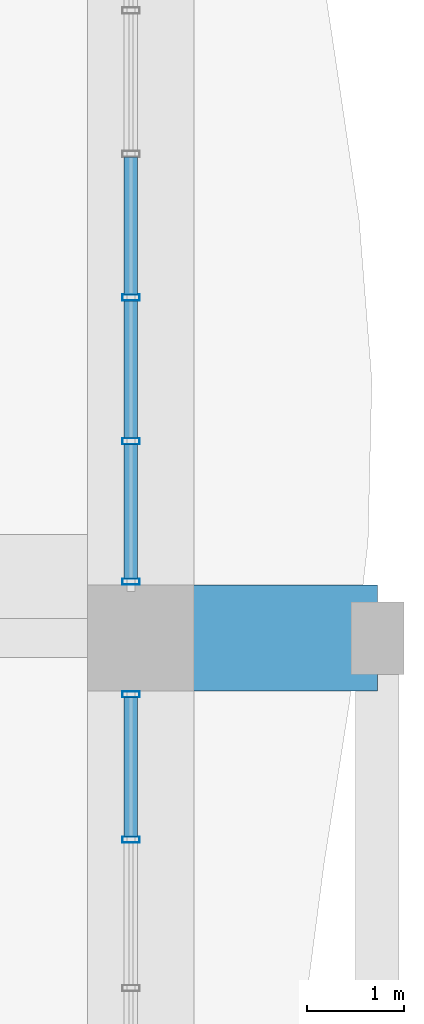
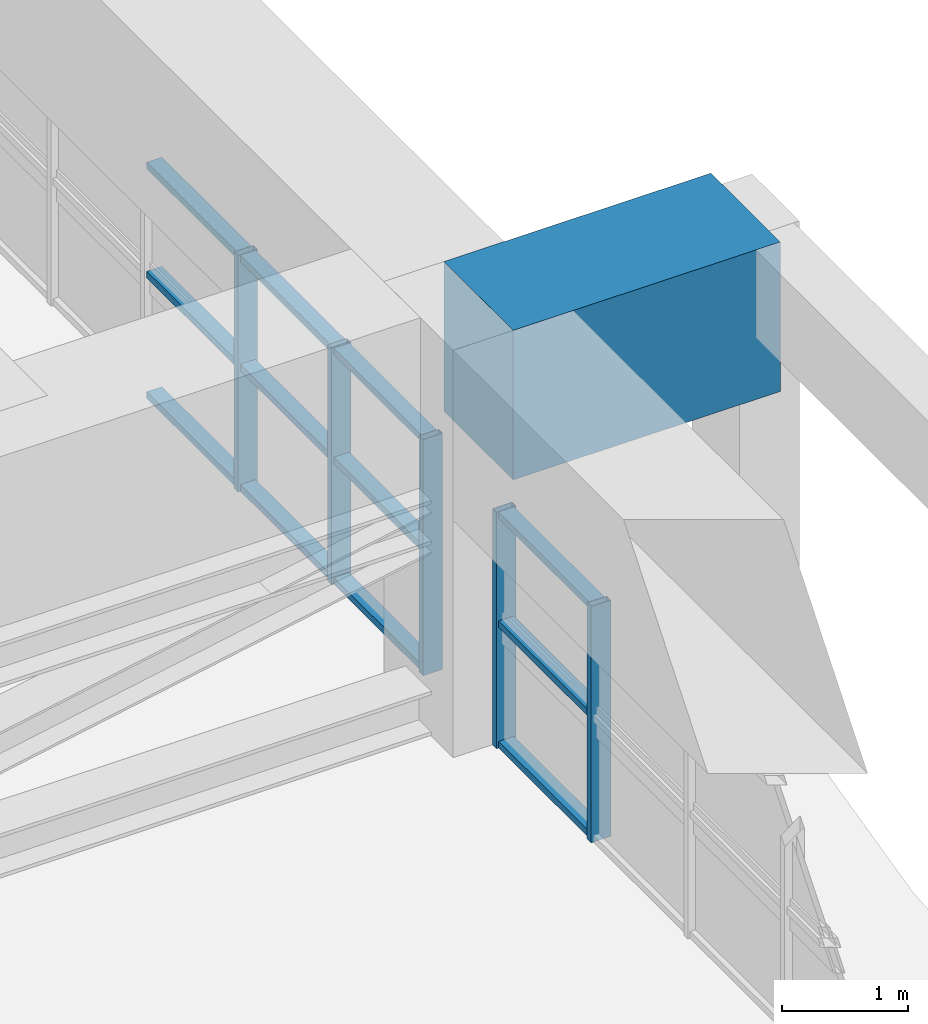
# One storey, part 24 of 35: 17 members, 1 beam, 2 elements without a shape of their own.
"""IFC4 building model written with IfcOpenShell, lengths in metres."""

from ifc_helpers import new_model, si_unit, direction, frame, origin, origin_2d, place, context, subcontext, project, spatial, rectangle, hollow_rectangle, extrude, source, transform, mapped, material, layer, layer_set, material_profile, profile_set, type_object, element, aggregate, save


model = new_model("IFC4")

# Units and contexts
model_context = context("Model", 3, precision=1e-05, world=origin(), true_north=direction((0.0, 1.0)))
body_context = subcontext(model_context, "Body", "Model", "MODEL_VIEW")
ifc_project = project(units=[si_unit("LENGTHUNIT", "METRE"), si_unit("AREAUNIT", "SQUARE_METRE"), si_unit("VOLUMEUNIT", "CUBIC_METRE"), si_unit("PLANEANGLEUNIT", "RADIAN"), si_unit("MASSUNIT", "GRAM", prefix="KILO")], contexts=[model_context])

# Site, building, storey
site_placement = place(None, origin())
site = spatial("IfcSite", under=ifc_project, at=site_placement, CompositionType="ELEMENT")
building_placement = place(site_placement, origin())
building = spatial("IfcBuilding", under=site, at=building_placement, Name="Saelheon Loggia Tower", CompositionType="ELEMENT")
storey_placement = place(building_placement, frame((0.0, 0.0, 70.39990234375)))
storey = spatial("IfcBuildingStorey", under=building, at=storey_placement, Name="L22", CompositionType="ELEMENT", Elevation=70.39990234375)

# Beam
ifc_material_1 = material(Name="Concrete C50/60", Category="concrete")
ifc_material_profile_1 = material_profile(ifc_material_1, rectangle(XDim=1.10009765625, YDim=1.449951171875, at=origin_2d()), Name="RC-1100x1450")
ifc_profile_set_1 = profile_set([ifc_material_profile_1], Name="Concrete C50/60")
beam_type = type_object("IfcBeamType", Name="Beam_PerimTransfer_RC1100x1450", PredefinedType="BEAM", material=ifc_profile_set_1)
shared_shape_1 = source(origin(), body_context, "Body", "SweptSolid", [
    extrude(rectangle(XDim=1.10009765625, YDim=1.449951171875, at=origin_2d()), origin(), (0.0, 0.0, 1.0), 2.449951171875),
])
beam_placement = place(storey_placement, frame((64.0, 36.0, 3.22509765625), z_axis=(1.0, 0.0, 0.0), x_axis=(0.0, 1.0, 0.0)))
element("IfcBeam", 1, at=beam_placement, inside=storey, type_object=beam_type, Name="L22 Loggia Frame Tie Beam LP-E2", PredefinedType="BEAM", context=body_context, shape_type="MappedRepresentation", body=[
    mapped(shared_shape_1, transform((0.0, 0.0, 0.0), scale=1.0)),
])

# Curtain wall, members
ifc_material_2 = material(Name="Anodised Aluminium Acoustic Louvre Curtain Wall", Category="aluminium")
ifc_layer = layer(ifc_material_2, 0.179931640625)
ifc_layer_set = layer_set([ifc_layer], Name="Anodised Aluminium Acoustic Louvre Curtain Wall")
curtain_wall_type = type_object("IfcCurtainWallType", Name="CW_RefugeAcoustic", PredefinedType="NOTDEFINED", material=ifc_layer_set)
curtain_wall_1_placement = place(storey_placement, origin())
curtain_wall_1 = element("IfcCurtainWall", 2, at=curtain_wall_1_placement, inside=storey, type_object=curtain_wall_type, Name="L22 E Refuge Acoustic Curtain Wall 2", PredefinedType="NOTDEFINED")
ifc_material_3 = material(Name="Anodised Aluminium 6063-T6", Category="aluminium")
ifc_material_profile_2 = material_profile(ifc_material_3, hollow_rectangle(XDim=0.06494140625, YDim=0.179931640625, WallThickness=0.00390625, at=origin_2d()), Name="RHS-180x65x4")
ifc_profile_set_2 = profile_set([ifc_material_profile_2], Name="Anodised Aluminium 6063-T6")
member_type_1 = type_object("IfcMemberType", Name="CW_RefugeAcoustic_Mullion", PredefinedType="MULLION", material=ifc_profile_set_2)
shared_shape_2 = source(origin(), body_context, "Body", "SweptSolid", [
    extrude(hollow_rectangle(XDim=0.06494140625, YDim=0.179931640625, WallThickness=0.00390625, at=origin_2d()), origin(), (0.0, 0.0, 1.0), 2.2900390625),
])
member_1_placement = place(storey_placement, frame((63.89990234375, 33.91357421875, 0.0), z_axis=(0.0, 0.0, 1.0), x_axis=(0.0, 1.0, 0.0)))
member_1 = element("IfcMember", 3, at=member_1_placement, type_object=member_type_1, Name="CW5 mullion 11", PredefinedType="MULLION", context=body_context, shape_type="MappedRepresentation", body=[
    mapped(shared_shape_2, transform((0.0, 0.0, 0.0), scale=1.0)),
])
member_2_placement = place(storey_placement, frame((63.89990234375, 35.41748046875, 0.0), z_axis=(0.0, 0.0, 1.0), x_axis=(0.0, 1.0, 0.0)))
member_2 = element("IfcMember", 4, at=member_2_placement, type_object=member_type_1, Name="CW5 mullion 12", PredefinedType="MULLION", context=body_context, shape_type="MappedRepresentation", body=[
    mapped(shared_shape_2, transform((0.0, 0.0, 0.0), scale=1.0)),
])

curtain_wall_2_placement = place(storey_placement, origin())
curtain_wall_2 = element("IfcCurtainWall", 5, at=curtain_wall_2_placement, inside=storey, type_object=curtain_wall_type, Name="L22 E Refuge Acoustic Curtain Wall 3", PredefinedType="NOTDEFINED")
member_3_placement = place(storey_placement, frame((63.89990234375, 36.58251953125, 0.0), z_axis=(0.0, 0.0, 1.0), x_axis=(0.0, 1.0, 0.0)))
member_3 = element("IfcMember", 6, at=member_3_placement, type_object=member_type_1, Name="CW5 mullion 1", PredefinedType="MULLION", context=body_context, shape_type="MappedRepresentation", body=[
    mapped(shared_shape_2, transform((0.0, 0.0, 0.0), scale=1.0)),
])
member_4_placement = place(storey_placement, frame((63.89990234375, 38.03564453125, 0.0), z_axis=(0.0, 0.0, 1.0), x_axis=(0.0, 1.0, 0.0)))
member_4 = element("IfcMember", 7, at=member_4_placement, type_object=member_type_1, Name="CW5 mullion 2", PredefinedType="MULLION", context=body_context, shape_type="MappedRepresentation", body=[
    mapped(shared_shape_2, transform((0.0, 0.0, 0.0), scale=1.0)),
])
member_5_placement = place(storey_placement, frame((63.89990234375, 39.521484375, 0.0), z_axis=(0.0, 0.0, 1.0), x_axis=(0.0, 1.0, 0.0)))
member_5 = element("IfcMember", 8, at=member_5_placement, type_object=member_type_1, Name="CW5 mullion 3", PredefinedType="MULLION", context=body_context, shape_type="MappedRepresentation", body=[
    mapped(shared_shape_2, transform((0.0, 0.0, 0.0), scale=1.0)),
])
ifc_material_profile_3 = material_profile(ifc_material_3, hollow_rectangle(XDim=0.06494140625, YDim=0.139892578125, WallThickness=0.00390625, at=origin_2d()), Name="RHS-140x65x4")
ifc_profile_set_3 = profile_set([ifc_material_profile_3], Name="Anodised Aluminium 6063-T6")
member_type_2 = type_object("IfcMemberType", Name="CW_RefugeAcoustic_Transom", PredefinedType="USERDEFINED", material=ifc_profile_set_3)
shared_shape_3 = source(origin(), body_context, "Body", "SweptSolid", [
    extrude(hollow_rectangle(XDim=0.06494140625, YDim=0.139892578125, WallThickness=0.00390625, at=origin_2d()), origin(), (0.0, 0.0, 1.0), 1.38818359375),
])
member_6_placement = place(storey_placement, frame((63.89990234375, 36.614990234375, 0.03271484375), z_axis=(0.0, 1.0, 0.0), x_axis=(0.0, 0.0, 1.0)))
member_6 = element("IfcMember", 9, at=member_6_placement, type_object=member_type_2, Name="CW5 transom 1.1", ObjectType="TRANSOM", PredefinedType="USERDEFINED", context=body_context, shape_type="MappedRepresentation", body=[
    mapped(shared_shape_3, transform((0.0, 0.0, 0.0), scale=1.0)),
])
member_7_placement = place(storey_placement, frame((63.89990234375, 36.614990234375, 1.2001953125), z_axis=(0.0, 1.0, 0.0), x_axis=(0.0, 0.0, 1.0)))
member_7 = element("IfcMember", 10, at=member_7_placement, type_object=member_type_2, Name="CW5 transom 1.2", ObjectType="TRANSOM", PredefinedType="USERDEFINED", context=body_context, shape_type="MappedRepresentation", body=[
    mapped(shared_shape_3, transform((0.0, 0.0, 0.0), scale=1.0)),
])
member_8_placement = place(storey_placement, frame((63.89990234375, 36.614990234375, 2.257568359375), z_axis=(0.0, 1.0, 0.0), x_axis=(0.0, 0.0, 1.0)))
member_8 = element("IfcMember", 11, at=member_8_placement, type_object=member_type_2, Name="CW5 transom 1.3", ObjectType="TRANSOM", PredefinedType="USERDEFINED", context=body_context, shape_type="MappedRepresentation", body=[
    mapped(shared_shape_3, transform((0.0, 0.0, 0.0), scale=1.0)),
])
shared_shape_4 = source(origin(), body_context, "Body", "SweptSolid", [
    extrude(hollow_rectangle(XDim=0.06494140625, YDim=0.139892578125, WallThickness=0.00390625, at=origin_2d()), origin(), (0.0, 0.0, 1.0), 1.4208984375),
])
member_9_placement = place(storey_placement, frame((63.89990234375, 38.068115234375, 0.03271484375), z_axis=(0.0, 1.0, 0.0), x_axis=(0.0, 0.0, 1.0)))
member_9 = element("IfcMember", 12, at=member_9_placement, type_object=member_type_2, Name="CW5 transom 2.1", ObjectType="TRANSOM", PredefinedType="USERDEFINED", context=body_context, shape_type="MappedRepresentation", body=[
    mapped(shared_shape_4, transform((0.0, 0.0, 0.0), scale=1.0)),
])
member_10_placement = place(storey_placement, frame((63.89990234375, 38.068115234375, 1.2001953125), z_axis=(0.0, 1.0, 0.0), x_axis=(0.0, 0.0, 1.0)))
member_10 = element("IfcMember", 13, at=member_10_placement, type_object=member_type_2, Name="CW5 transom 2.2", ObjectType="TRANSOM", PredefinedType="USERDEFINED", context=body_context, shape_type="MappedRepresentation", body=[
    mapped(shared_shape_4, transform((0.0, 0.0, 0.0), scale=1.0)),
])
member_11_placement = place(storey_placement, frame((63.89990234375, 38.068115234375, 2.257568359375), z_axis=(0.0, 1.0, 0.0), x_axis=(0.0, 0.0, 1.0)))
member_11 = element("IfcMember", 14, at=member_11_placement, type_object=member_type_2, Name="CW5 transom 2.3", ObjectType="TRANSOM", PredefinedType="USERDEFINED", context=body_context, shape_type="MappedRepresentation", body=[
    mapped(shared_shape_4, transform((0.0, 0.0, 0.0), scale=1.0)),
])
shared_shape_5 = source(origin(), body_context, "Body", "SweptSolid", [
    extrude(hollow_rectangle(XDim=0.06494140625, YDim=0.139892578125, WallThickness=0.00390625, at=origin_2d()), origin(), (0.0, 0.0, 1.0), 1.420654296875),
])
member_12_placement = place(storey_placement, frame((63.89990234375, 39.553955078125, 0.03271484375), z_axis=(0.0, 1.0, 0.0), x_axis=(0.0, 0.0, 1.0)))
member_12 = element("IfcMember", 15, at=member_12_placement, type_object=member_type_2, Name="CW5 transom 3.1", ObjectType="TRANSOM", PredefinedType="USERDEFINED", context=body_context, shape_type="MappedRepresentation", body=[
    mapped(shared_shape_5, transform((0.0, 0.0, 0.0), scale=1.0)),
])
member_13_placement = place(storey_placement, frame((63.89990234375, 39.553955078125, 1.2001953125), z_axis=(0.0, 1.0, 0.0), x_axis=(0.0, 0.0, 1.0)))
member_13 = element("IfcMember", 16, at=member_13_placement, type_object=member_type_2, Name="CW5 transom 3.2", ObjectType="TRANSOM", PredefinedType="USERDEFINED", context=body_context, shape_type="MappedRepresentation", body=[
    mapped(shared_shape_5, transform((0.0, 0.0, 0.0), scale=1.0)),
])
member_14_placement = place(storey_placement, frame((63.89990234375, 39.553955078125, 2.257568359375), z_axis=(0.0, 1.0, 0.0), x_axis=(0.0, 0.0, 1.0)))
member_14 = element("IfcMember", 17, at=member_14_placement, type_object=member_type_2, Name="CW5 transom 3.3", ObjectType="TRANSOM", PredefinedType="USERDEFINED", context=body_context, shape_type="MappedRepresentation", body=[
    mapped(shared_shape_5, transform((0.0, 0.0, 0.0), scale=1.0)),
])
aggregate(curtain_wall_2, [member_3, member_4, member_5, member_6, member_7, member_8, member_9, member_10, member_11, member_12, member_13, member_14])

# Member
shared_shape_6 = source(origin(), body_context, "Body", "SweptSolid", [
    extrude(hollow_rectangle(XDim=0.06494140625, YDim=0.139892578125, WallThickness=0.00390625, at=origin_2d()), origin(), (0.0, 0.0, 1.0), 1.43896484375),
])
member_15_placement = place(storey_placement, frame((63.89990234375, 33.946044921875, 0.03271484375), z_axis=(0.0, 1.0, 0.0), x_axis=(0.0, 0.0, 1.0)))
member_15 = element("IfcMember", 18, at=member_15_placement, type_object=member_type_2, Name="CW5 transom 11.1", ObjectType="TRANSOM", PredefinedType="USERDEFINED", context=body_context, shape_type="MappedRepresentation", body=[
    mapped(shared_shape_6, transform((0.0, 0.0, 0.0), scale=1.0)),
])

member_16_placement = place(storey_placement, frame((63.89990234375, 33.946044921875, 1.2001953125), z_axis=(0.0, 1.0, 0.0), x_axis=(0.0, 0.0, 1.0)))
member_16 = element("IfcMember", 19, at=member_16_placement, type_object=member_type_2, Name="CW5 transom 11.2", ObjectType="TRANSOM", PredefinedType="USERDEFINED", context=body_context, shape_type="MappedRepresentation", body=[
    mapped(shared_shape_6, transform((0.0, 0.0, 0.0), scale=1.0)),
])

member_17_placement = place(storey_placement, frame((63.89990234375, 33.946044921875, 2.257568359375), z_axis=(0.0, 1.0, 0.0), x_axis=(0.0, 0.0, 1.0)))
member_17 = element("IfcMember", 20, at=member_17_placement, type_object=member_type_2, Name="CW5 transom 11.3", ObjectType="TRANSOM", PredefinedType="USERDEFINED", context=body_context, shape_type="MappedRepresentation", body=[
    mapped(shared_shape_6, transform((0.0, 0.0, 0.0), scale=1.0)),
])

aggregate(curtain_wall_1, [member_1, member_2, member_15, member_16, member_17])

save(model, "model.ifc")
